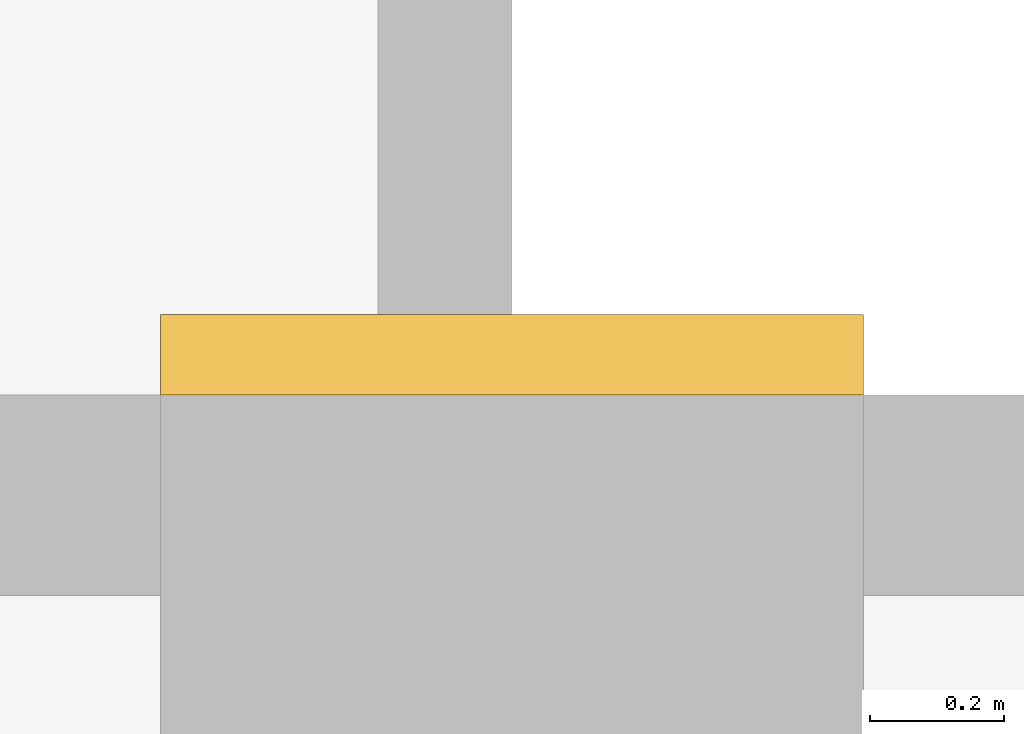
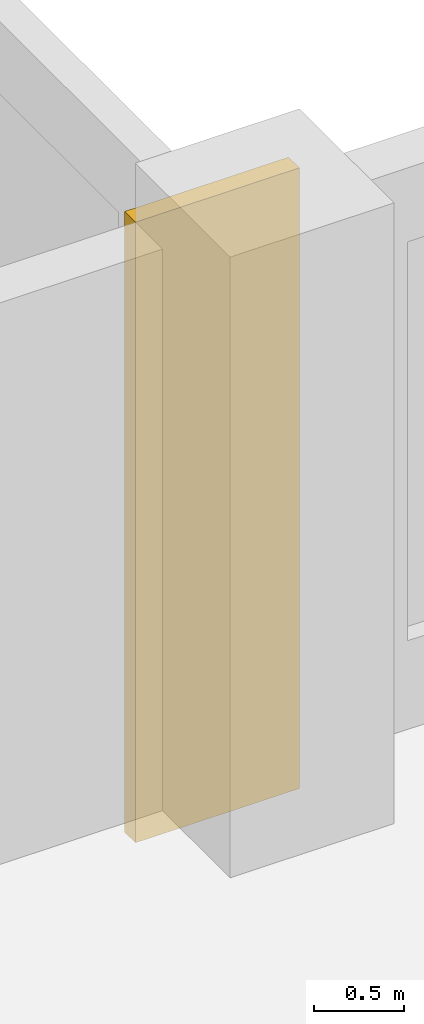
# One storey, part 15 of 15: 1 covering.
"""IFC4 building model written with IfcOpenShell, lengths in metres."""

import ifcopenshell
import ifcopenshell.guid

model = None  # the IFC model being written
_history = None  # IfcOwnerHistory: only IFC2X3 demands one
_inside = {}  # id of a spatial element -> (the spatial element, [elements in it])
_under = {}  # id of a project, library or spatial element -> (it, [spatial elements below it])
_declared = {}  # id of a project -> (the project, [libraries it declares])
_typed = {}  # id of a type object -> (the type object, [elements of that type])
_made_of = {}  # id of a material, layer set ... -> (it, [elements and type objects made of it])


def new_model(schema):
    """Start an empty IFC model of exactly this schema.

    Asked for "IFC4X3", IfcOpenShell would pick the latest addendum, in which some entities
    have other attributes; the version numbers below select the first issue.
    IFC2X3 requires an IfcOwnerHistory on every rooted entity: one is made here for all.
    """
    global model, _history
    if schema == "IFC4X3":
        model = ifcopenshell.file(schema_version=(4, 3, 0, 0))
    else:
        model = ifcopenshell.file(schema=schema)
    _inside.clear()
    _under.clear()
    _declared.clear()
    _typed.clear()
    _made_of.clear()
    _history = None
    if model.schema == "IFC2X3":
        org = make("IfcOrganization", Name="unknown")
        user = make(
            "IfcPersonAndOrganization",
            ThePerson=make("IfcPerson", FamilyName="unknown"),
            TheOrganization=org,
        )
        app = make(
            "IfcApplication",
            ApplicationDeveloper=org,
            Version="unknown",
            ApplicationFullName="unknown",
            ApplicationIdentifier="unknown",
        )
        _history = make(
            "IfcOwnerHistory",
            OwningUser=user,
            OwningApplication=app,
            ChangeAction="ADDED",
            CreationDate=0,
        )
    return model


def make(cls, **values):
    """One entity of the class cls with the attributes given. An attribute that is None is left unset."""
    return model.create_entity(
        cls, **{name: value for name, value in values.items() if value is not None}
    )


def rooted(cls, **values):
    """An entity with a GlobalId (a new one), such as an element, a storey or a relation."""
    return make(cls, GlobalId=ifcopenshell.guid.new(), OwnerHistory=_history, **values)


def si_unit(unit_type, name, prefix=None):
    """IfcSIUnit, for example si_unit("LENGTHUNIT", "METRE", prefix="MILLI")."""
    return make("IfcSIUnit", UnitType=unit_type, Prefix=prefix, Name=name)


def assignment(units):
    """IfcUnitAssignment: the units of a project."""
    return None if units is None else make("IfcUnitAssignment", Units=units)


def point(xyz):
    """IfcCartesianPoint."""
    return None if xyz is None else make("IfcCartesianPoint", Coordinates=xyz)


def direction(xyz):
    """IfcDirection."""
    return None if xyz is None else make("IfcDirection", DirectionRatios=xyz)


def frame(location, z_axis=None, x_axis=None):
    """IfcAxis2Placement3D, a coordinate frame: its origin and axes. An axis left out is left unset."""
    return make(
        "IfcAxis2Placement3D",
        Location=point(location),
        Axis=direction(z_axis),
        RefDirection=direction(x_axis),
    )


def frame_2d(location, x_axis=None):
    """IfcAxis2Placement2D, a coordinate frame in the plane: its origin and x axis."""
    return make(
        "IfcAxis2Placement2D", Location=point(location), RefDirection=direction(x_axis)
    )


def origin():
    """The frame at (0, 0, 0) with its axes left unset."""
    return frame((0.0, 0.0, 0.0))


def origin_2d():
    """The frame at (0, 0) in the plane with its x axis left unset."""
    return frame_2d((0.0, 0.0))


def place(relative_to, where):
    """IfcLocalPlacement: puts the frame where relative to a parent placement (None: the world)."""
    return make(
        "IfcLocalPlacement", PlacementRelTo=relative_to, RelativePlacement=where
    )


def context(
    kind, dimensions, precision=None, world=None, true_north=None, identifier=None
):
    """IfcGeometricRepresentationContext, for example the 3D "Model" context."""
    return make(
        "IfcGeometricRepresentationContext",
        ContextIdentifier=identifier,
        ContextType=kind,
        CoordinateSpaceDimension=dimensions,
        Precision=precision,
        WorldCoordinateSystem=world,
        TrueNorth=true_north,
    )


def subcontext(parent, identifier, kind, view, scale=None):
    """IfcGeometricRepresentationSubContext, for example "Body" below "Model"."""
    return make(
        "IfcGeometricRepresentationSubContext",
        ContextIdentifier=identifier,
        ContextType=kind,
        ParentContext=parent,
        TargetScale=scale,
        TargetView=view,
    )


def project(units=None, contexts=None):
    """IfcProject with its units and contexts."""
    return rooted(
        "IfcProject",
        Name="project",
        RepresentationContexts=contexts,
        UnitsInContext=assignment(units),
    )


def spatial(cls, under=None, at=None, **own):
    """A site, building, storey or space (cls), placed at a placement, below another one or the project."""
    s = rooted(cls, ObjectPlacement=at, **own)
    if under is not None:
        _under.setdefault(under.id(), (under, []))[1].append(s)
    return s


def profile(cls, at=None, kind="AREA", **sizes):
    """A parametric profile (cls). Its sizes go by their IFC names, for example OverallWidth=200.0."""
    return make(cls, ProfileType=kind, Position=at, **sizes)


def rectangle(**sizes):
    """IfcRectangleProfileDef."""
    return profile("IfcRectangleProfileDef", **sizes)


def extrude(swept, where, along, depth):
    """IfcExtrudedAreaSolid: the profile swept, set in the frame where, extruded along a direction by depth."""
    return make(
        "IfcExtrudedAreaSolid",
        SweptArea=swept,
        Position=where,
        ExtrudedDirection=direction(along),
        Depth=depth,
    )


def shape(context_of_items, identifier, shape_type, items):
    """IfcShapeRepresentation: the items that make up one representation, for example the "Body"."""
    return make(
        "IfcShapeRepresentation",
        ContextOfItems=context_of_items,
        RepresentationIdentifier=identifier,
        RepresentationType=shape_type,
        Items=items,
    )


def source(mapping_origin, context_of_items, identifier, shape_type, items):
    """IfcRepresentationMap: a shape defined once, which mapped items show again and again."""
    return make(
        "IfcRepresentationMap",
        MappingOrigin=mapping_origin,
        MappedRepresentation=shape(context_of_items, identifier, shape_type, items),
    )


def transform(
    local_origin,
    x_axis=None,
    y_axis=None,
    z_axis=None,
    scale=None,
    scale2=None,
    scale3=None,
    uniform=True,
):
    """IfcCartesianTransformationOperator3D, or its non-uniform kind. x_axis, y_axis, z_axis: its Axis1, 2, 3."""
    if uniform:
        return make(
            "IfcCartesianTransformationOperator3D",
            Axis1=direction(x_axis),
            Axis2=direction(y_axis),
            LocalOrigin=point(local_origin),
            Scale=scale,
            Axis3=direction(z_axis),
        )
    return make(
        "IfcCartesianTransformationOperator3DnonUniform",
        Axis1=direction(x_axis),
        Axis2=direction(y_axis),
        LocalOrigin=point(local_origin),
        Scale=scale,
        Axis3=direction(z_axis),
        Scale2=scale2,
        Scale3=scale3,
    )


def mapped(mapping_source, mapping_target):
    """IfcMappedItem: shows the shape of a source again, moved by a transform."""
    return make(
        "IfcMappedItem", MappingSource=mapping_source, MappingTarget=mapping_target
    )


def material(Name=None, Category=None):
    """IfcMaterial."""
    return make("IfcMaterial", Name=Name, Category=Category)


def made_of(thing, what):
    """Note that an element or type object is made of a material, layer set ...; save() writes the relation."""
    if what is not None:
        _made_of.setdefault(what.id(), (what, []))[1].append(thing)
    return thing


def type_object(cls, material=None, **own):
    """A type object (cls), such as IfcWallType, which elements share."""
    return made_of(rooted(cls, **own), material)


def element(
    cls,
    number,
    at=None,
    inside=None,
    cuts=None,
    type_object=None,
    material=None,
    context=None,
    identifier="Body",
    shape_type=None,
    held_by="IfcProductDefinitionShape",
    body=None,
    shapes=None,
    **own,
):
    """One element of the class cls, such as IfcWall. Its Tag is "e" and its number.

    at: its placement. inside: the storey or other place that contains it. cuts: it is an
    opening in that element (IfcRelVoidsElement). A single representation is given by context,
    identifier, shape_type and body (its items); several are given by shapes. held_by: the class
    of the entity that holds the representations. save() writes the other relations.
    """
    e = rooted(cls, Tag="e%d" % number, ObjectPlacement=at, **own)
    if body is not None:
        shapes = [shape(context, identifier, shape_type, body)]
    if shapes is not None:
        e.Representation = make(held_by, Representations=shapes)
    if inside is not None:
        _inside.setdefault(inside.id(), (inside, []))[1].append(e)
    if cuts is not None:
        rooted(
            "IfcRelVoidsElement", RelatingBuildingElement=cuts, RelatedOpeningElement=e
        )
    if type_object is not None:
        _typed.setdefault(type_object.id(), (type_object, []))[1].append(e)
    return made_of(e, material)


def aggregate(whole, parts):
    """IfcRelAggregates: a whole, such as a stair, and the parts it consists of."""
    return rooted("IfcRelAggregates", RelatingObject=whole, RelatedObjects=parts)


def save(model, path):
    """Write the relations noted so far, then the file.

    IfcRelAggregates (storeys below a building ...), IfcRelContainedInSpatialStructure (elements
    in a storey), IfcRelDefinesByType, IfcRelAssociatesMaterial and IfcRelDeclares: one each for
    every whole, place, type object, material and project.
    """
    for whole, parts in _under.values():
        aggregate(whole, parts)
    for where, things in _inside.values():
        rooted(
            "IfcRelContainedInSpatialStructure",
            RelatedElements=things,
            RelatingStructure=where,
        )
    for kind, things in _typed.values():
        rooted("IfcRelDefinesByType", RelatedObjects=things, RelatingType=kind)
    for what, things in _made_of.values():
        rooted("IfcRelAssociatesMaterial", RelatedObjects=things, RelatingMaterial=what)
    for by, libraries in _declared.values():
        rooted("IfcRelDeclares", RelatingContext=by, RelatedDefinitions=libraries)
    model.write(path)


model = new_model("IFC4")

# Units and contexts
model_context = context("Model", 3, precision=1e-05, world=origin(), true_north=direction((0.0, 1.0)))
body_context = subcontext(model_context, "Body", "Model", "MODEL_VIEW")
ifc_project = project(units=[si_unit("LENGTHUNIT", "METRE"), si_unit("AREAUNIT", "SQUARE_METRE"), si_unit("VOLUMEUNIT", "CUBIC_METRE"), si_unit("PLANEANGLEUNIT", "RADIAN"), si_unit("MASSUNIT", "GRAM", prefix="KILO")], contexts=[model_context])

# Site, building, storey
site_placement = place(None, origin())
site = spatial("IfcSite", under=ifc_project, at=site_placement, CompositionType="ELEMENT")
building_placement = place(site_placement, origin())
building = spatial("IfcBuilding", under=site, at=building_placement, Name="Aurelian Terraces", CompositionType="ELEMENT")
storey_placement = place(building_placement, frame((0.0, 0.0, 137.1)))
storey = spatial("IfcBuildingStorey", under=building, at=storey_placement, Name="L30", CompositionType="ELEMENT", Elevation=137.1)

# Covering
ifc_material = material(Name="Terracotta rainscreen cladding relief", Category="masonry")
covering_type = type_object("IfcCoveringType", Name="BAGUETTE-TC", PredefinedType="CLADDING", material=ifc_material)
shared_shape = source(origin(), body_context, "Body", "SweptSolid", [
    extrude(rectangle(XDim=1.05, YDim=0.12, at=origin_2d()), origin(), (0.0, 0.0, 1.0), 4.2),
])
covering_placement = place(storey_placement, frame((63.84, 21.06, -0.4), z_axis=(0.0, 0.0, 1.0), x_axis=(1.0, 0.0, 0.0)))
element("IfcCovering", 1, at=covering_placement, inside=storey, type_object=covering_type, Name="BAGUETTE pier L30 9", PredefinedType="CLADDING", context=body_context, shape_type="MappedRepresentation", body=[
    mapped(shared_shape, transform((0.0, 0.0, 0.0), scale=1.0)),
])

save(model, "model.ifc")
